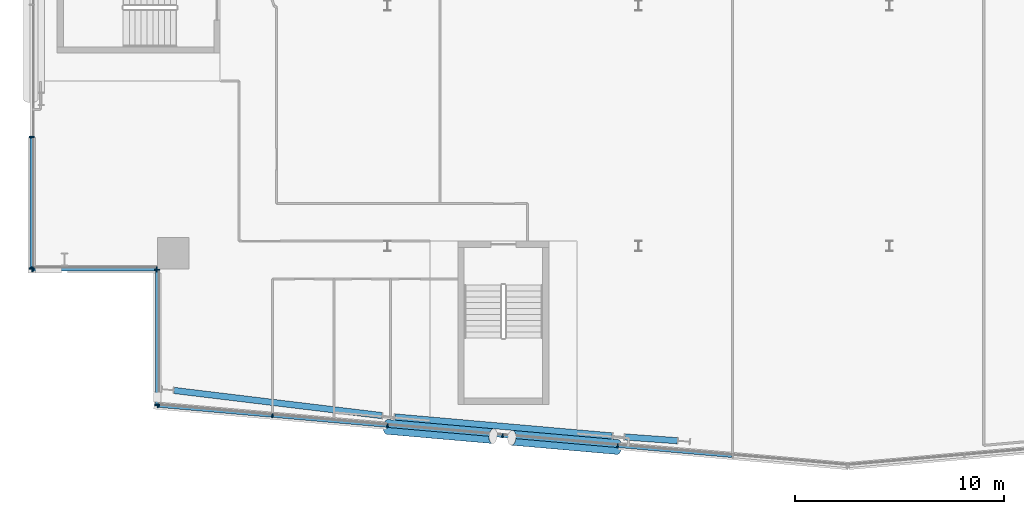
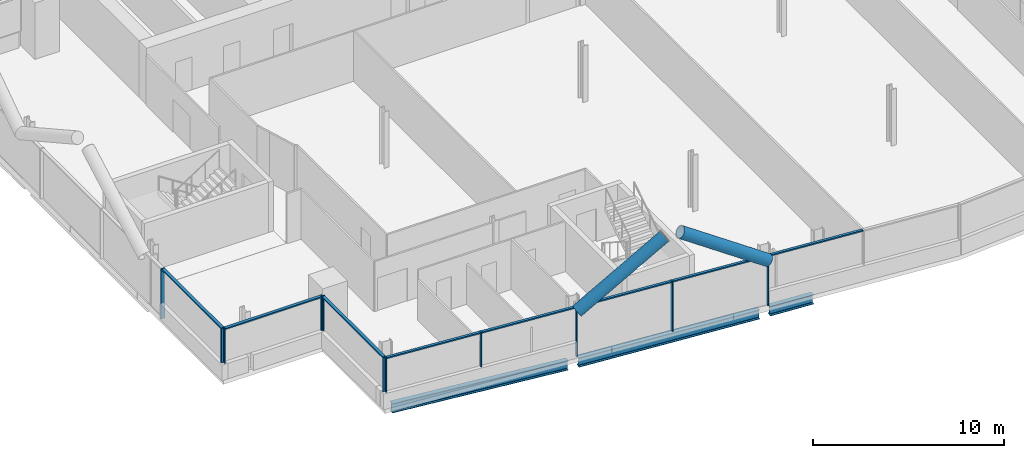
# One storey, part 6 of 26: 21 members, 3 beams, 4 elements without a shape of their own.
"""IFC4 building model written with IfcOpenShell, lengths in metres."""

from ifc_helpers import new_model, si_unit, direction, frame, origin, origin_2d, place, context, subcontext, project, spatial, rectangle, hollow_circle, i_section, extrude, material, material_profile, profile_set, type_object, element, aggregate, save


model = new_model("IFC4")

# Units and contexts
model_context = context("Model", 3, precision=1e-05, world=origin(), true_north=direction((0.0, 1.0)))
body_context = subcontext(model_context, "Body", "Model", "MODEL_VIEW")
ifc_project = project(units=[si_unit("LENGTHUNIT", "METRE"), si_unit("AREAUNIT", "SQUARE_METRE"), si_unit("VOLUMEUNIT", "CUBIC_METRE"), si_unit("PLANEANGLEUNIT", "RADIAN"), si_unit("MASSUNIT", "GRAM", prefix="KILO")], contexts=[model_context])

# Site, building, storey
site_placement = place(None, origin())
site = spatial("IfcSite", under=ifc_project, at=site_placement, CompositionType="ELEMENT")
building_placement = place(site_placement, origin())
building = spatial("IfcBuilding", under=site, at=building_placement, Name="Wharfspan Tower", CompositionType="ELEMENT")
storey_placement = place(building_placement, frame((0.0, 0.0, 177.100098)))
storey = spatial("IfcBuildingStorey", under=building, at=storey_placement, Name="L43", CompositionType="ELEMENT", Elevation=177.100098)

# Beams
ifc_material_1 = material(Name="Steel S355J2", Category="steel")
ifc_material_profile_1 = material_profile(ifc_material_1, i_section(OverallWidth=0.300049, OverallDepth=0.600098, WebThickness=0.015381, FlangeThickness=0.030029, FilletRadius=0.0271, at=origin_2d()))
ifc_profile_set_1 = profile_set([ifc_material_profile_1], Name="Steel S355J2")
beam_type = type_object("IfcBeamType", Name="Edge beam HEB 600", PredefinedType="SPANDREL", material=ifc_profile_set_1)
beam_1_placement = place(storey_placement, frame((13.794678, 4.600586, -0.700195), z_axis=(0.992758, -0.12013, 0.0), x_axis=(0.12013, 0.992758, 0.0)))
element("IfcBeam", 1, at=beam_1_placement, inside=storey, type_object=beam_type, Name="Edge beam S1 L43 PS1.1 to PS1.2", PredefinedType="SPANDREL", context=body_context, shape_type="SweptSolid", body=[
    extrude(i_section(OverallWidth=0.300049, OverallDepth=0.600098, WebThickness=0.015381, FlangeThickness=0.030029, FilletRadius=0.0271, at=origin_2d()), origin(), (0.0, 0.0, 1.0), 10.013184),
])
beam_2_placement = place(storey_placement, frame((24.343994, 3.334229, -0.700195), z_axis=(0.996196, -0.087146, 0.0), x_axis=(0.087146, 0.996196, 0.0)))
element("IfcBeam", 2, at=beam_2_placement, inside=storey, type_object=beam_type, Name="Edge beam S1 L43 PS1.2 to PS1.3", PredefinedType="SPANDREL", context=body_context, shape_type="SweptSolid", body=[
    extrude(i_section(OverallWidth=0.300049, OverallDepth=0.600098, WebThickness=0.015381, FlangeThickness=0.030029, FilletRadius=0.0271, at=origin_2d()), origin(), (0.0, 0.0, 1.0), 10.430176),
])
beam_3_placement = place(storey_placement, frame((35.344482, 2.376709, -0.700195), z_axis=(0.997423, -0.07175, 0.0), x_axis=(0.07175, 0.997423, 0.0)))
element("IfcBeam", 3, at=beam_3_placement, inside=storey, type_object=beam_type, Name="Edge beam S1 L43 PS1.3 to PS1.4", PredefinedType="SPANDREL", context=body_context, shape_type="SweptSolid", body=[
    extrude(i_section(OverallWidth=0.300049, OverallDepth=0.600098, WebThickness=0.015381, FlangeThickness=0.030029, FilletRadius=0.0271, at=origin_2d()), origin(), (0.0, 0.0, 1.0), 2.518066),
])

# Curtain wall, members
ifc_material_2 = material(Name="Aluminium 6063-T6", Category="aluminium")
curtain_wall_type_1 = type_object("IfcCurtainWallType", Name="CURTAIN WALL FACETED FRONT", PredefinedType="NOTDEFINED", material=ifc_material_2)
curtain_wall_1_placement = place(storey_placement, origin())
curtain_wall_1 = element("IfcCurtainWall", 4, at=curtain_wall_1_placement, inside=storey, type_object=curtain_wall_type_1, Name="Curtain wall S1", PredefinedType="NOTDEFINED")
ifc_material_profile_2 = material_profile(ifc_material_2, rectangle(XDim=0.199951, YDim=0.060059, at=origin_2d()))
ifc_profile_set_2 = profile_set([ifc_material_profile_2], Name="Aluminium 6063-T6")
member_type_1 = type_object("IfcMemberType", Name="MULLION FACETED FRONT 60x200", PredefinedType="MULLION", material=ifc_profile_set_2)
member_1_placement = place(storey_placement, frame((13.029785, 3.872559, 1.0), z_axis=(0.0, 0.0, 1.0), x_axis=(0.087156, 0.996198, 0.0)))
member_1 = element("IfcMember", 5, at=member_1_placement, type_object=member_type_1, Name="Curtain wall S1 mullion 1", PredefinedType="MULLION", context=body_context, shape_type="SweptSolid", body=[
    extrude(rectangle(XDim=0.199951, YDim=0.060059, at=origin_2d()), origin(), (0.0, 0.0, 1.0), 2.199951),
])
member_2_placement = place(storey_placement, frame((18.5, 3.393799, 1.0), z_axis=(0.0, 0.0, 1.0), x_axis=(0.087156, 0.996198, 0.0)))
member_2 = element("IfcMember", 6, at=member_2_placement, type_object=member_type_1, Name="Curtain wall S1 mullion 2", PredefinedType="MULLION", context=body_context, shape_type="SweptSolid", body=[
    extrude(rectangle(XDim=0.199951, YDim=0.060059, at=origin_2d()), origin(), (0.0, 0.0, 1.0), 2.199951),
])
member_3_placement = place(storey_placement, frame((24.0, 2.912598, 0.0), z_axis=(0.0, 0.0, 1.0), x_axis=(0.087156, 0.996198, 0.0)))
member_3 = element("IfcMember", 7, at=member_3_placement, type_object=member_type_1, Name="Curtain wall S1 mullion 3", PredefinedType="MULLION", context=body_context, shape_type="SweptSolid", body=[
    extrude(rectangle(XDim=0.199951, YDim=0.060059, at=origin_2d()), origin(), (0.0, 0.0, 1.0), 3.199951),
])
member_4_placement = place(storey_placement, frame((29.5, 2.431396, 0.0), z_axis=(0.0, 0.0, 1.0), x_axis=(0.087156, 0.996198, 0.0)))
member_4 = element("IfcMember", 8, at=member_4_placement, type_object=member_type_1, Name="Curtain wall S1 mullion 4", PredefinedType="MULLION", context=body_context, shape_type="SweptSolid", body=[
    extrude(rectangle(XDim=0.199951, YDim=0.060059, at=origin_2d()), origin(), (0.0, 0.0, 1.0), 3.199951),
])
member_5_placement = place(storey_placement, frame((35.0, 1.950195, 0.0), z_axis=(0.0, 0.0, 1.0), x_axis=(0.087156, 0.996198, 0.0)))
member_5 = element("IfcMember", 9, at=member_5_placement, type_object=member_type_1, Name="Curtain wall S1 mullion 5", PredefinedType="MULLION", context=body_context, shape_type="SweptSolid", body=[
    extrude(rectangle(XDim=0.199951, YDim=0.060059, at=origin_2d()), origin(), (0.0, 0.0, 1.0), 3.199951),
])

curtain_wall_type_2 = type_object("IfcCurtainWallType", Name="CURTAIN WALL PROW AND END", PredefinedType="NOTDEFINED", material=ifc_material_2)
curtain_wall_2_placement = place(storey_placement, origin())
curtain_wall_2 = element("IfcCurtainWall", 10, at=curtain_wall_2_placement, inside=storey, type_object=curtain_wall_type_2, Name="Curtain wall W", PredefinedType="NOTDEFINED")
ifc_material_profile_3 = material_profile(ifc_material_2, rectangle(XDim=0.23999, YDim=0.060059, at=origin_2d()))
ifc_profile_set_3 = profile_set([ifc_material_profile_3], Name="Aluminium 6063-T6")
member_type_2 = type_object("IfcMemberType", Name="MULLION PROW AND END 60x240", PredefinedType="MULLION", material=ifc_profile_set_3)
member_6_placement = place(storey_placement, frame((7.0, 16.719971, 0.0), z_axis=(0.0, 0.0, 1.0), x_axis=(1.0, 0.0, 0.0)))
member_6 = element("IfcMember", 11, at=member_6_placement, type_object=member_type_2, Name="Curtain wall W mullion 5", PredefinedType="MULLION", context=body_context, shape_type="SweptSolid", body=[
    extrude(rectangle(XDim=0.23999, YDim=0.060059, at=origin_2d()), origin(), (0.0, 0.0, 1.0), 3.199951),
])
member_7_placement = place(storey_placement, frame((7.0, 10.429932, 1.0), z_axis=(0.0, 0.0, 1.0), x_axis=(1.0, 0.0, 0.0)))
member_7 = element("IfcMember", 12, at=member_7_placement, type_object=member_type_2, Name="Curtain wall W mullion 6", PredefinedType="MULLION", context=body_context, shape_type="SweptSolid", body=[
    extrude(rectangle(XDim=0.23999, YDim=0.060059, at=origin_2d()), origin(), (0.0, 0.0, 1.0), 2.199951),
])

curtain_wall_3_placement = place(storey_placement, origin())
curtain_wall_3 = element("IfcCurtainWall", 13, at=curtain_wall_3_placement, inside=storey, type_object=curtain_wall_type_2, Name="Curtain wall NFW-H", PredefinedType="NOTDEFINED")
member_8_placement = place(storey_placement, frame((7.030029, 10.399902, 1.0), z_axis=(0.0, 0.0, 1.0), x_axis=(0.0, 1.0, 0.0)))
member_8 = element("IfcMember", 14, at=member_8_placement, type_object=member_type_2, Name="Curtain wall NFW-H mullion 1", PredefinedType="MULLION", context=body_context, shape_type="SweptSolid", body=[
    extrude(rectangle(XDim=0.23999, YDim=0.060059, at=origin_2d()), origin(), (0.0, 0.0, 1.0), 2.199951),
])
member_9_placement = place(storey_placement, frame((12.969971, 10.399902, 1.0), z_axis=(0.0, 0.0, 1.0), x_axis=(0.0, 1.0, 0.0)))
member_9 = element("IfcMember", 15, at=member_9_placement, type_object=member_type_2, Name="Curtain wall NFW-H mullion 2", PredefinedType="MULLION", context=body_context, shape_type="SweptSolid", body=[
    extrude(rectangle(XDim=0.23999, YDim=0.060059, at=origin_2d()), origin(), (0.0, 0.0, 1.0), 2.199951),
])

curtain_wall_4_placement = place(storey_placement, origin())
curtain_wall_4 = element("IfcCurtainWall", 16, at=curtain_wall_4_placement, inside=storey, type_object=curtain_wall_type_2, Name="Curtain wall NFW-V", PredefinedType="NOTDEFINED")
member_10_placement = place(storey_placement, frame((13.0, 10.370117, 1.0), z_axis=(0.0, 0.0, 1.0), x_axis=(1.0, 0.0, 0.0)))
member_10 = element("IfcMember", 17, at=member_10_placement, type_object=member_type_2, Name="Curtain wall NFW-V mullion 1", PredefinedType="MULLION", context=body_context, shape_type="SweptSolid", body=[
    extrude(rectangle(XDim=0.23999, YDim=0.060059, at=origin_2d()), origin(), (0.0, 0.0, 1.0), 2.199951),
])
member_11_placement = place(storey_placement, frame((13.0, 3.905029, 1.0), z_axis=(0.0, 0.0, 1.0), x_axis=(1.0, 0.0, 0.0)))
member_11 = element("IfcMember", 18, at=member_11_placement, type_object=member_type_2, Name="Curtain wall NFW-V mullion 2", PredefinedType="MULLION", context=body_context, shape_type="SweptSolid", body=[
    extrude(rectangle(XDim=0.23999, YDim=0.060059, at=origin_2d()), origin(), (0.0, 0.0, 1.0), 2.199951),
])

# Members
ifc_material_3 = material(Name="Steel S460NH", Category="steel")
ifc_material_profile_4 = material_profile(ifc_material_3, hollow_circle(Radius=0.355469, WallThickness=0.035889, at=origin_2d()))
ifc_profile_set_4 = profile_set([ifc_material_profile_4], Name="Steel S460NH")
member_type_3 = type_object("IfcMemberType", Name="Mega brace CHS 711x36", PredefinedType="BRACE", material=ifc_profile_set_4)
for number, where, z_axis, x_axis, name in (
    (19, (23.995117, 2.85791, 2.899902), (0.834469, -0.073006, 0.546197), (0.087156, 0.996198, -1e-06), "Mega brace S1 L44 part 1"),
    (20, (34.995117, 1.895508, 2.899902), (-0.834469, 0.073006, 0.546197), (-0.087156, -0.996198, -1e-06), "Mega brace S1 L44 part 3"),
):
    element("IfcMember", number, at=place(storey_placement, frame(where, z_axis=z_axis, x_axis=x_axis)), inside=storey, type_object=member_type_3, Name=name, PredefinedType="BRACE", context=body_context, shape_type="SweptSolid", body=[
        extrude(hollow_circle(Radius=0.355469, WallThickness=0.035889, at=origin_2d()), origin(), (0.0, 0.0, 1.0), 6.049561),
    ])

# Member
ifc_material_profile_5 = material_profile(ifc_material_2, rectangle(XDim=0.159912, YDim=0.080078, at=origin_2d()))
ifc_profile_set_5 = profile_set([ifc_material_profile_5], Name="Aluminium 6063-T6")
member_type_4 = type_object("IfcMemberType", Name="TRANSOM FACETED FRONT 80x160", PredefinedType="USERDEFINED", material=ifc_profile_set_5)
member_12_placement = place(storey_placement, frame((13.059814, 3.869873, 3.159912), z_axis=(0.996194, -0.087163, 0.0), x_axis=(0.087163, 0.996194, 0.0)))
member_12 = element("IfcMember", 21, at=member_12_placement, type_object=member_type_4, Name="Curtain wall S1 transom 1", ObjectType="TRANSOM", PredefinedType="USERDEFINED", context=body_context, shape_type="SweptSolid", body=[
    extrude(rectangle(XDim=0.159912, YDim=0.080078, at=origin_2d()), origin(), (0.0, 0.0, 1.0), 5.431152),
])

member_13_placement = place(storey_placement, frame((18.529785, 3.391357, 3.159912), z_axis=(0.996193, -0.087174, 0.0), x_axis=(0.087174, 0.996193, 0.0)))
member_13 = element("IfcMember", 22, at=member_13_placement, type_object=member_type_4, Name="Curtain wall S1 transom 2", ObjectType="TRANSOM", PredefinedType="USERDEFINED", context=body_context, shape_type="SweptSolid", body=[
    extrude(rectangle(XDim=0.159912, YDim=0.080078, at=origin_2d()), origin(), (0.0, 0.0, 1.0), 5.461182),
])

member_14_placement = place(storey_placement, frame((24.029785, 2.910156, 3.159912), z_axis=(0.996193, -0.087174, 0.0), x_axis=(0.087174, 0.996193, 0.0)))
member_14 = element("IfcMember", 23, at=member_14_placement, type_object=member_type_4, Name="Curtain wall S1 transom 3", ObjectType="TRANSOM", PredefinedType="USERDEFINED", context=body_context, shape_type="SweptSolid", body=[
    extrude(rectangle(XDim=0.159912, YDim=0.080078, at=origin_2d()), origin(), (0.0, 0.0, 1.0), 5.461182),
])

member_15_placement = place(storey_placement, frame((29.529785, 2.428955, 3.159912), z_axis=(0.996193, -0.087174, 0.0), x_axis=(0.087174, 0.996193, 0.0)))
member_15 = element("IfcMember", 24, at=member_15_placement, type_object=member_type_4, Name="Curtain wall S1 transom 4", ObjectType="TRANSOM", PredefinedType="USERDEFINED", context=body_context, shape_type="SweptSolid", body=[
    extrude(rectangle(XDim=0.159912, YDim=0.080078, at=origin_2d()), origin(), (0.0, 0.0, 1.0), 5.461182),
])

member_16_placement = place(storey_placement, frame((35.029785, 1.947754, 3.159912), z_axis=(0.996193, -0.087174, 0.0), x_axis=(0.087174, 0.996193, 0.0)))
member_16 = element("IfcMember", 25, at=member_16_placement, type_object=member_type_4, Name="Curtain wall S1 transom 5", ObjectType="TRANSOM", PredefinedType="USERDEFINED", context=body_context, shape_type="SweptSolid", body=[
    extrude(rectangle(XDim=0.159912, YDim=0.080078, at=origin_2d()), origin(), (0.0, 0.0, 1.0), 5.461182),
])

aggregate(curtain_wall_1, [member_1, member_2, member_3, member_4, member_5, member_12, member_13, member_14, member_15, member_16])

ifc_material_profile_6 = material_profile(ifc_material_2, rectangle(XDim=0.179932, YDim=0.080078, at=origin_2d()))
ifc_profile_set_6 = profile_set([ifc_material_profile_6], Name="Aluminium 6063-T6")
member_type_5 = type_object("IfcMemberType", Name="TRANSOM PROW AND END 80x180", PredefinedType="USERDEFINED", material=ifc_profile_set_6)
member_17_placement = place(storey_placement, frame((7.0, 16.689941, 3.159912), z_axis=(0.0, -1.0, 0.0), x_axis=(1.0, 0.0, 0.0)))
member_17 = element("IfcMember", 26, at=member_17_placement, type_object=member_type_5, Name="Curtain wall W transom 5", ObjectType="TRANSOM", PredefinedType="USERDEFINED", context=body_context, shape_type="SweptSolid", body=[
    extrude(rectangle(XDim=0.179932, YDim=0.080078, at=origin_2d()), origin(), (0.0, 0.0, 1.0), 6.22998),
])

aggregate(curtain_wall_2, [member_6, member_7, member_17])

member_18_placement = place(storey_placement, frame((7.060059, 10.399902, 3.159912), z_axis=(1.0, 0.0, 0.0), x_axis=(0.0, 1.0, 0.0)))
member_18 = element("IfcMember", 27, at=member_18_placement, type_object=member_type_5, Name="Curtain wall NFW-H transom 1", ObjectType="TRANSOM", PredefinedType="USERDEFINED", context=body_context, shape_type="SweptSolid", body=[
    extrude(rectangle(XDim=0.179932, YDim=0.080078, at=origin_2d()), origin(), (0.0, 0.0, 1.0), 5.879883),
])

aggregate(curtain_wall_3, [member_8, member_9, member_18])

member_19_placement = place(storey_placement, frame((13.0, 10.340088, 3.159912), z_axis=(0.0, -1.0, 0.0), x_axis=(1.0, 0.0, 0.0)))
member_19 = element("IfcMember", 28, at=member_19_placement, type_object=member_type_5, Name="Curtain wall NFW-V transom 1", ObjectType="TRANSOM", PredefinedType="USERDEFINED", context=body_context, shape_type="SweptSolid", body=[
    extrude(rectangle(XDim=0.179932, YDim=0.080078, at=origin_2d()), origin(), (0.0, 0.0, 1.0), 6.405029),
])

aggregate(curtain_wall_4, [member_10, member_11, member_19])

save(model, "model.ifc")
